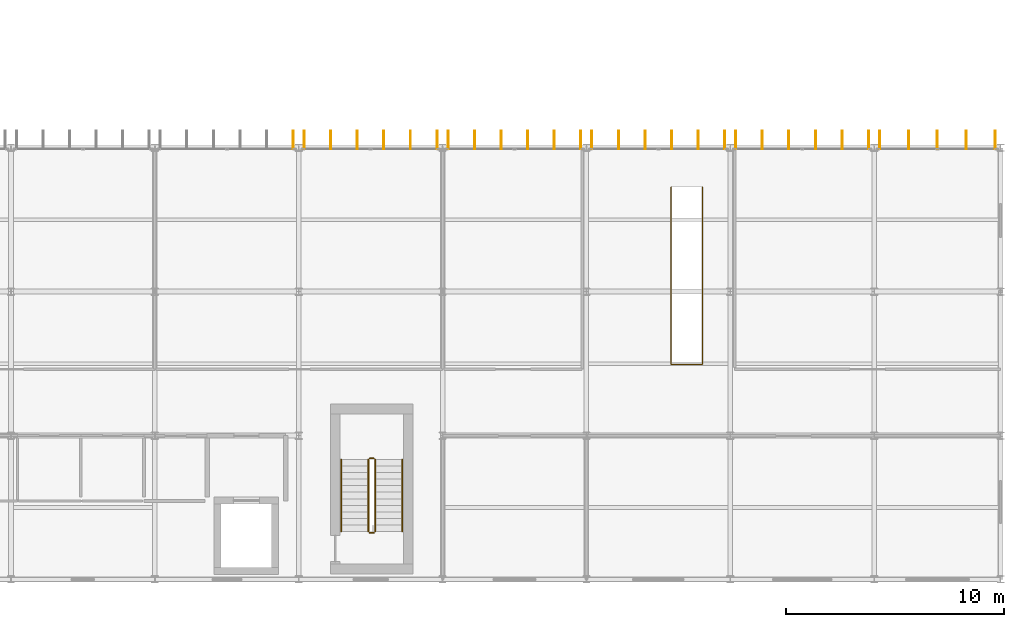
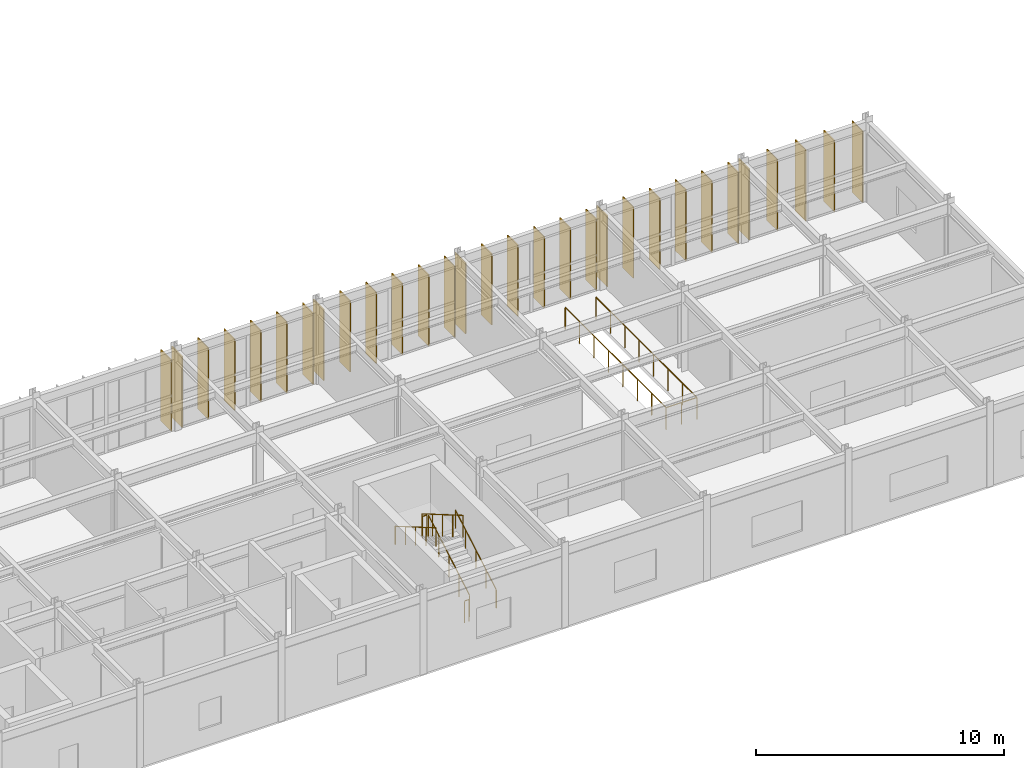
# One storey, part 129 of 130: 30 shading devices, 7 railings.
"""IFC4 building model written with IfcOpenShell, lengths in metres."""

from ifc_helpers import new_model, si_unit, direction, frame, origin, origin_2d, place, context, subcontext, project, spatial, rectangle, circle, extrude, material, layer, layer_set, type_object, element, save


model = new_model("IFC4")

# Units and contexts
model_context = context("Model", 3, precision=1e-05, world=origin(), true_north=direction((0.0, 1.0)))
body_context = subcontext(model_context, "Body", "Model", "MODEL_VIEW")
ifc_project = project(units=[si_unit("LENGTHUNIT", "METRE"), si_unit("AREAUNIT", "SQUARE_METRE"), si_unit("VOLUMEUNIT", "CUBIC_METRE"), si_unit("PLANEANGLEUNIT", "RADIAN"), si_unit("MASSUNIT", "GRAM", prefix="KILO")], contexts=[model_context])

# Site, building, storey
site_placement = place(None, origin())
site = spatial("IfcSite", under=ifc_project, at=site_placement, CompositionType="ELEMENT")
building_placement = place(site_placement, origin())
building = spatial("IfcBuilding", under=site, at=building_placement, Name="Karori Crest Natural Sciences Institute", CompositionType="ELEMENT")
storey_placement = place(building_placement, frame((0.0, 0.0, 17.5)))
storey = spatial("IfcBuildingStorey", under=building, at=storey_placement, Name="L04", CompositionType="ELEMENT", Elevation=17.5)

# Railings
ifc_material_1 = material(Name="Stainless steel 316 tubular handrail", Category="steel")
railing_type_1 = type_object("IfcRailingType", Name="RLT-HND", PredefinedType="HANDRAIL", material=ifc_material_1)
railing_1_placement = place(storey_placement, frame((134.75, 3.0, 0.175048828125)))
element("IfcRailing", 1, at=railing_1_placement, inside=storey, type_object=railing_type_1, Name="Stair handrail RL-0194", PredefinedType="HANDRAIL", context=body_context, shape_type="SweptSolid", body=[
    extrude(circle(Radius=0.02392578125, at=origin_2d()), frame((0.0, 0.0, 0.90087890625), z_axis=(0.0, 0.863776583165, 0.503874998761), x_axis=(-1.0, 0.0, 0.0)), (0.0, 0.0, 1.0), 3.820556640625),
    extrude(circle(Radius=0.02099609375, at=origin_2d()), origin(), (0.0, 0.0, 1.0), 0.876953125),
    extrude(circle(Radius=0.02099609375, at=origin_2d()), frame((0.0, 0.824951171875, 0.481201171875)), (0.0, 0.0, 1.0), 0.876953125),
    extrude(circle(Radius=0.02099609375, at=origin_2d()), frame((0.0, 1.64990234375, 0.96240234375)), (0.0, 0.0, 1.0), 0.876953125),
    extrude(circle(Radius=0.02099609375, at=origin_2d()), frame((0.0, 2.47509765625, 1.44384765625)), (0.0, 0.0, 1.0), 0.876953125),
    extrude(circle(Radius=0.02099609375, at=origin_2d()), frame((0.0, 3.300048828125, 1.925048828125)), (0.0, 0.0, 1.0), 0.876953125),
])
railing_2_placement = place(storey_placement, frame((131.949951171875, 6.300048828125, 2.27490234375)))
element("IfcRailing", 2, at=railing_2_placement, inside=storey, type_object=railing_type_1, Name="Stair handrail RL-0195", PredefinedType="HANDRAIL", context=body_context, shape_type="SweptSolid", body=[
    extrude(circle(Radius=0.02392578125, at=origin_2d()), frame((0.0, 0.0, 0.90087890625), z_axis=(0.0, -0.863776583165, 0.503874998761), x_axis=(1.0, 0.0, 0.0)), (0.0, 0.0, 1.0), 3.820556640625),
    extrude(circle(Radius=0.02099609375, at=origin_2d()), origin(), (0.0, 0.0, 1.0), 0.876953125),
    extrude(circle(Radius=0.02099609375, at=origin_2d()), frame((0.0, -0.824951171875, 0.481201171875)), (0.0, 0.0, 1.0), 0.876953125),
    extrude(circle(Radius=0.02099609375, at=origin_2d()), frame((0.0, -1.64990234375, 0.96240234375)), (0.0, 0.0, 1.0), 0.876953125),
    extrude(circle(Radius=0.02099609375, at=origin_2d()), frame((0.0, -2.47509765625, 1.44384765625)), (0.0, 0.0, 1.0), 0.876953125),
    extrude(circle(Radius=0.02099609375, at=origin_2d()), frame((0.0, -3.300048828125, 1.925048828125)), (0.0, 0.0, 1.0), 0.876953125),
])
ifc_material_2 = material(Name="Stainless steel 316 stair guard", Category="steel")
railing_type_2 = type_object("IfcRailingType", Name="RLT-STG", PredefinedType="GUARDRAIL", material=ifc_material_2)
railing_3_placement = place(storey_placement, frame((133.5, 3.0, 0.175048828125)))
element("IfcRailing", 3, at=railing_3_placement, inside=storey, type_object=railing_type_2, Name="Stair guard RL-0190", PredefinedType="GUARDRAIL", context=body_context, shape_type="SweptSolid", body=[
    extrude(circle(Radius=0.02392578125, at=origin_2d()), frame((0.0, 0.0, 1.076171875), z_axis=(0.0, 0.863776583165, 0.503874998761), x_axis=(-1.0, 0.0, 0.0)), (0.0, 0.0, 1.0), 3.820556640625),
    extrude(circle(Radius=0.02099609375, at=origin_2d()), origin(), (0.0, 0.0, 1.0), 1.052001953125),
    extrude(circle(Radius=0.02099609375, at=origin_2d()), frame((0.0, 0.824951171875, 0.481201171875)), (0.0, 0.0, 1.0), 1.052001953125),
    extrude(circle(Radius=0.02099609375, at=origin_2d()), frame((0.0, 1.64990234375, 0.96240234375)), (0.0, 0.0, 1.0), 1.052001953125),
    extrude(circle(Radius=0.02099609375, at=origin_2d()), frame((0.0, 2.47509765625, 1.44384765625)), (0.0, 0.0, 1.0), 1.052001953125),
    extrude(circle(Radius=0.02099609375, at=origin_2d()), frame((0.0, 3.300048828125, 1.925048828125)), (0.0, 0.0, 1.0), 1.052001953125),
])
railing_4_placement = place(storey_placement, frame((133.449951171875, 6.35009765625, 2.10009765625)))
element("IfcRailing", 4, at=railing_4_placement, inside=storey, type_object=railing_type_2, Name="Stair guard RL-0191", PredefinedType="GUARDRAIL", context=body_context, shape_type="SweptSolid", body=[
    extrude(circle(Radius=0.02392578125, at=origin_2d()), frame((0.0, 0.0, 1.076171875), z_axis=(-1.0, 0.0, 0.0), x_axis=(0.0, -1.0, 0.0)), (0.0, 0.0, 1.0), 0.199951171875),
    extrude(circle(Radius=0.02099609375, at=origin_2d()), origin(), (0.0, 0.0, 1.0), 1.052001953125),
    extrude(circle(Radius=0.02099609375, at=origin_2d()), frame((-0.199951171875, 0.0, 0.0)), (0.0, 0.0, 1.0), 1.052001953125),
])
railing_5_placement = place(storey_placement, frame((133.199951171875, 6.300048828125, 2.27490234375)))
element("IfcRailing", 5, at=railing_5_placement, inside=storey, type_object=railing_type_2, Name="Stair guard RL-0192", PredefinedType="GUARDRAIL", context=body_context, shape_type="SweptSolid", body=[
    extrude(circle(Radius=0.02392578125, at=origin_2d()), frame((0.0, 0.0, 1.076171875), z_axis=(0.0, -0.863776583165, 0.503874998761), x_axis=(1.0, 0.0, 0.0)), (0.0, 0.0, 1.0), 3.820556640625),
    extrude(circle(Radius=0.02099609375, at=origin_2d()), origin(), (0.0, 0.0, 1.0), 1.052001953125),
    extrude(circle(Radius=0.02099609375, at=origin_2d()), frame((0.0, -0.824951171875, 0.481201171875)), (0.0, 0.0, 1.0), 1.052001953125),
    extrude(circle(Radius=0.02099609375, at=origin_2d()), frame((0.0, -1.64990234375, 0.96240234375)), (0.0, 0.0, 1.0), 1.052001953125),
    extrude(circle(Radius=0.02099609375, at=origin_2d()), frame((0.0, -2.47509765625, 1.44384765625)), (0.0, 0.0, 1.0), 1.052001953125),
    extrude(circle(Radius=0.02099609375, at=origin_2d()), frame((0.0, -3.300048828125, 1.925048828125)), (0.0, 0.0, 1.0), 1.052001953125),
])
railing_6_placement = place(storey_placement, frame((133.449951171875, 2.949951171875, 0.0)))
element("IfcRailing", 6, at=railing_6_placement, inside=storey, type_object=railing_type_2, Name="Stair guard RL-0193", PredefinedType="GUARDRAIL", context=body_context, shape_type="SweptSolid", body=[
    extrude(circle(Radius=0.02392578125, at=origin_2d()), frame((0.0, 0.0, 1.076171875), z_axis=(-1.0, 0.0, 0.0), x_axis=(0.0, -1.0, 0.0)), (0.0, 0.0, 1.0), 0.199951171875),
    extrude(circle(Radius=0.02099609375, at=origin_2d()), origin(), (0.0, 0.0, 1.0), 1.052001953125),
    extrude(circle(Radius=0.02099609375, at=origin_2d()), frame((-0.199951171875, 0.0, 0.0)), (0.0, 0.0, 1.0), 1.052001953125),
])
railing_7_placement = place(storey_placement, frame((147.0849609375, 18.800048828125, 0.0)))
element("IfcRailing", 7, at=railing_7_placement, inside=storey, type_object=railing_type_2, Name="Feature stair well guard RL-0441", PredefinedType="GUARDRAIL", context=body_context, shape_type="SweptSolid", body=[
    extrude(circle(Radius=0.02392578125, at=origin_2d()), frame((0.0, 0.0, 1.076171875), z_axis=(0.0, -1.0, 0.0), x_axis=(1.0, 0.0, 0.0)), (0.0, 0.0, 1.0), 8.14013671875),
    extrude(circle(Radius=0.02392578125, at=origin_2d()), frame((0.0, -8.14013671875, 1.076171875), z_axis=(1.0, 0.0, 0.0), x_axis=(0.0, 1.0, 0.0)), (0.0, 0.0, 1.0), 1.429931640625),
    extrude(circle(Radius=0.02392578125, at=origin_2d()), frame((1.429931640625, -8.14013671875, 1.076171875), z_axis=(0.0, 1.0, 0.0), x_axis=(-1.0, 0.0, 0.0)), (0.0, 0.0, 1.0), 8.14013671875),
    extrude(circle(Radius=0.02099609375, at=origin_2d()), origin(), (0.0, 0.0, 1.0), 1.052001953125),
    extrude(circle(Radius=0.02099609375, at=origin_2d()), frame((0.0, -1.162841796875, 0.0)), (0.0, 0.0, 1.0), 1.052001953125),
    extrude(circle(Radius=0.02099609375, at=origin_2d()), frame((0.0, -2.32568359375, 0.0)), (0.0, 0.0, 1.0), 1.052001953125),
    extrude(circle(Radius=0.02099609375, at=origin_2d()), frame((0.0, -3.488525390625, 0.0)), (0.0, 0.0, 1.0), 1.052001953125),
    extrude(circle(Radius=0.02099609375, at=origin_2d()), frame((0.0, -4.651611328125, 0.0)), (0.0, 0.0, 1.0), 1.052001953125),
    extrude(circle(Radius=0.02099609375, at=origin_2d()), frame((0.0, -5.814453125, 0.0)), (0.0, 0.0, 1.0), 1.052001953125),
    extrude(circle(Radius=0.02099609375, at=origin_2d()), frame((0.0, -6.977294921875, 0.0)), (0.0, 0.0, 1.0), 1.052001953125),
    extrude(circle(Radius=0.02099609375, at=origin_2d()), frame((0.0, -8.14013671875, 0.0)), (0.0, 0.0, 1.0), 1.052001953125),
    extrude(circle(Radius=0.02099609375, at=origin_2d()), frame((0.71484375, -8.14013671875, 0.0)), (0.0, 0.0, 1.0), 1.052001953125),
    extrude(circle(Radius=0.02099609375, at=origin_2d()), frame((1.429931640625, -8.14013671875, 0.0)), (0.0, 0.0, 1.0), 1.052001953125),
    extrude(circle(Radius=0.02099609375, at=origin_2d()), frame((1.429931640625, -6.977294921875, 0.0)), (0.0, 0.0, 1.0), 1.052001953125),
    extrude(circle(Radius=0.02099609375, at=origin_2d()), frame((1.429931640625, -5.814453125, 0.0)), (0.0, 0.0, 1.0), 1.052001953125),
    extrude(circle(Radius=0.02099609375, at=origin_2d()), frame((1.429931640625, -4.651611328125, 0.0)), (0.0, 0.0, 1.0), 1.052001953125),
    extrude(circle(Radius=0.02099609375, at=origin_2d()), frame((1.429931640625, -3.488525390625, 0.0)), (0.0, 0.0, 1.0), 1.052001953125),
    extrude(circle(Radius=0.02099609375, at=origin_2d()), frame((1.429931640625, -2.32568359375, 0.0)), (0.0, 0.0, 1.0), 1.052001953125),
    extrude(circle(Radius=0.02099609375, at=origin_2d()), frame((1.429931640625, -1.162841796875, 0.0)), (0.0, 0.0, 1.0), 1.052001953125),
    extrude(circle(Radius=0.02099609375, at=origin_2d()), frame((1.429931640625, 0.0, 0.0)), (0.0, 0.0, 1.0), 1.052001953125),
])

# Shading devices
ifc_material_3 = material(Name="Anodised architectural aluminium 6063-T6", Category="aluminium")
ifc_layer = layer(ifc_material_3, 0.044921875, Name="Anodised architectural aluminium 6063-T6")
ifc_layer_set = layer_set([ifc_layer], Name="Anodised architectural aluminium 6063-T6")
shading_device_type = type_object("IfcShadingDeviceType", Name="SDT-FIN", PredefinedType="USERDEFINED", material=ifc_layer_set)
for number, where, z_axis, x_axis, name in (
    (8, (129.74658203125, 20.949951171875, 0.0), (0.0, 0.0, 1.0), (0.0, 1.0, 0.0), "Vertical solar fin FN-1468"),
    (9, (130.25341796875, 20.949951171875, 0.0), (0.0, 0.0, 1.0), (0.0, 1.0, 0.0), "Vertical solar fin FN-1469"),
    (10, (131.47216796875, 20.949951171875, 0.0), (0.0, 0.0, 1.0), (0.0, 1.0, 0.0), "Vertical solar fin FN-1470"),
    (11, (132.690673828125, 20.949951171875, 0.0), (0.0, 0.0, 1.0), (0.0, 1.0, 0.0), "Vertical solar fin FN-1471"),
    (12, (133.9091796875, 20.949951171875, 0.0), (0.0, 0.0, 1.0), (0.0, 1.0, 0.0), "Vertical solar fin FN-1472"),
    (13, (135.1279296875, 20.949951171875, 0.0), (0.0, 0.0, 1.0), (0.0, 1.0, 0.0), "Vertical solar fin FN-1473"),
    (14, (136.346435546875, 20.949951171875, 0.0), (0.0, 0.0, 1.0), (0.0, 1.0, 0.0), "Vertical solar fin FN-1474"),
    (15, (136.853515625, 20.949951171875, 0.0), (0.0, 0.0, 1.0), (0.0, 1.0, 0.0), "Vertical solar fin FN-1475"),
    (16, (138.072021484375, 20.949951171875, 0.0), (0.0, 0.0, 1.0), (0.0, 1.0, 0.0), "Vertical solar fin FN-1476"),
    (17, (139.290771484375, 20.949951171875, 0.0), (0.0, 0.0, 1.0), (0.0, 1.0, 0.0), "Vertical solar fin FN-1477"),
    (18, (140.50927734375, 20.949951171875, 0.0), (0.0, 0.0, 1.0), (0.0, 1.0, 0.0), "Vertical solar fin FN-1478"),
    (19, (141.727783203125, 20.949951171875, 0.0), (0.0, 0.0, 1.0), (0.0, 1.0, 0.0), "Vertical solar fin FN-1479"),
    (20, (142.946533203125, 20.949951171875, 0.0), (0.0, 0.0, 1.0), (0.0, 1.0, 0.0), "Vertical solar fin FN-1480"),
    (21, (143.45361328125, 20.949951171875, 0.0), (0.0, 0.0, 1.0), (0.0, 1.0, 0.0), "Vertical solar fin FN-1481"),
    (22, (144.672119140625, 20.949951171875, 0.0), (0.0, 0.0, 1.0), (0.0, 1.0, 0.0), "Vertical solar fin FN-1482"),
    (23, (145.890625, 20.949951171875, 0.0), (0.0, 0.0, 1.0), (0.0, 1.0, 0.0), "Vertical solar fin FN-1483"),
    (24, (147.109375, 20.949951171875, 0.0), (0.0, 0.0, 1.0), (0.0, 1.0, 0.0), "Vertical solar fin FN-1484"),
    (25, (148.327880859375, 20.949951171875, 0.0), (0.0, 0.0, 1.0), (0.0, 1.0, 0.0), "Vertical solar fin FN-1485"),
    (26, (149.54638671875, 20.949951171875, 0.0), (0.0, 0.0, 1.0), (0.0, 1.0, 0.0), "Vertical solar fin FN-1486"),
    (27, (150.053466796875, 20.949951171875, 0.0), (0.0, 0.0, 1.0), (0.0, 1.0, 0.0), "Vertical solar fin FN-1487"),
    (28, (151.272216796875, 20.949951171875, 0.0), (0.0, 0.0, 1.0), (0.0, 1.0, 0.0), "Vertical solar fin FN-1488"),
    (29, (152.49072265625, 20.949951171875, 0.0), (0.0, 0.0, 1.0), (0.0, 1.0, 0.0), "Vertical solar fin FN-1489"),
    (30, (153.709228515625, 20.949951171875, 0.0), (0.0, 0.0, 1.0), (0.0, 1.0, 0.0), "Vertical solar fin FN-1490"),
    (31, (154.927978515625, 20.949951171875, 0.0), (0.0, 0.0, 1.0), (0.0, 1.0, 0.0), "Vertical solar fin FN-1491"),
    (32, (156.146484375, 20.949951171875, 0.0), (0.0, 0.0, 1.0), (0.0, 1.0, 0.0), "Vertical solar fin FN-1492"),
    (33, (156.653564453125, 20.949951171875, 0.0), (0.0, 0.0, 1.0), (0.0, 1.0, 0.0), "Vertical solar fin FN-1493"),
    (34, (157.976806640625, 20.949951171875, 0.0), (0.0, 0.0, 1.0), (0.0, 1.0, 0.0), "Vertical solar fin FN-1494"),
    (35, (159.300048828125, 20.949951171875, 0.0), (0.0, 0.0, 1.0), (0.0, 1.0, 0.0), "Vertical solar fin FN-1495"),
    (36, (160.623291015625, 20.949951171875, 0.0), (0.0, 0.0, 1.0), (0.0, 1.0, 0.0), "Vertical solar fin FN-1496"),
    (37, (161.946533203125, 20.949951171875, 0.0), (0.0, 0.0, 1.0), (0.0, 1.0, 0.0), "Vertical solar fin FN-1497"),
):
    element("IfcShadingDevice", number, at=place(storey_placement, frame(where, z_axis=z_axis, x_axis=x_axis)), inside=storey, type_object=shading_device_type, Name=name, ObjectType="SOLAR_FIN", PredefinedType="USERDEFINED", context=body_context, shape_type="SweptSolid", body=[
        extrude(rectangle(XDim=0.85009765625, YDim=0.044921875, at=origin_2d()), origin(), (0.0, 0.0, 1.0), 3.5048828125),
    ])

save(model, "model.ifc")
